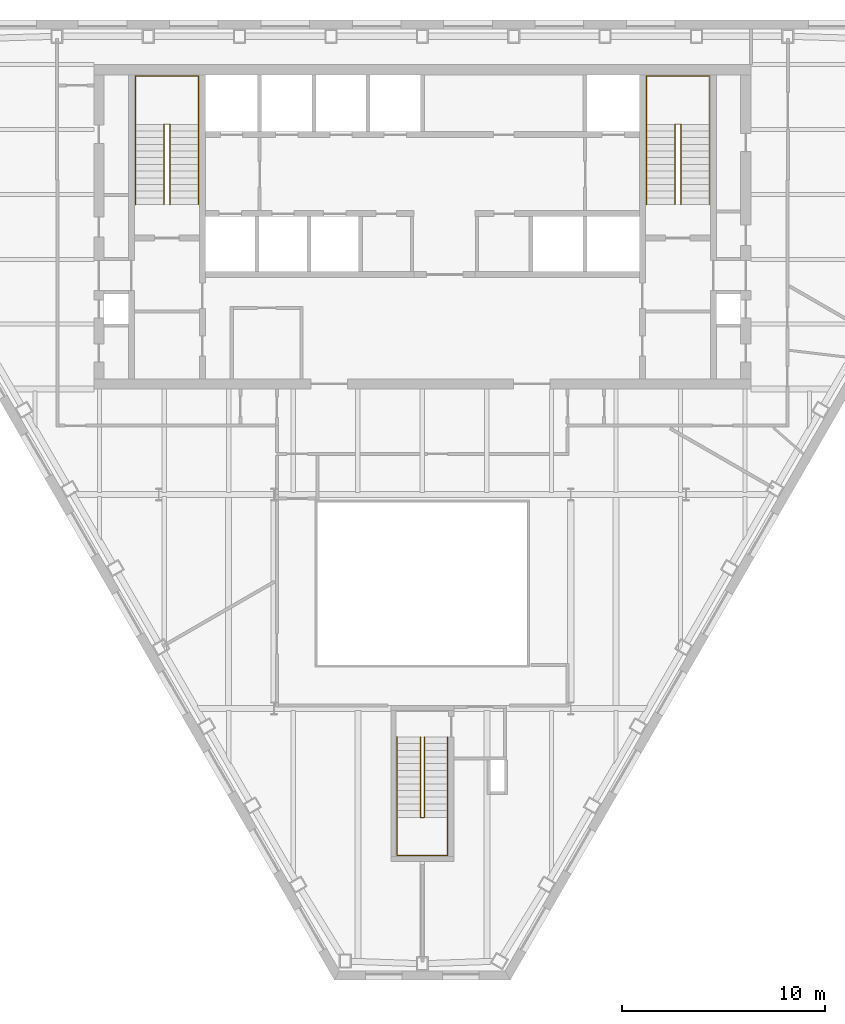
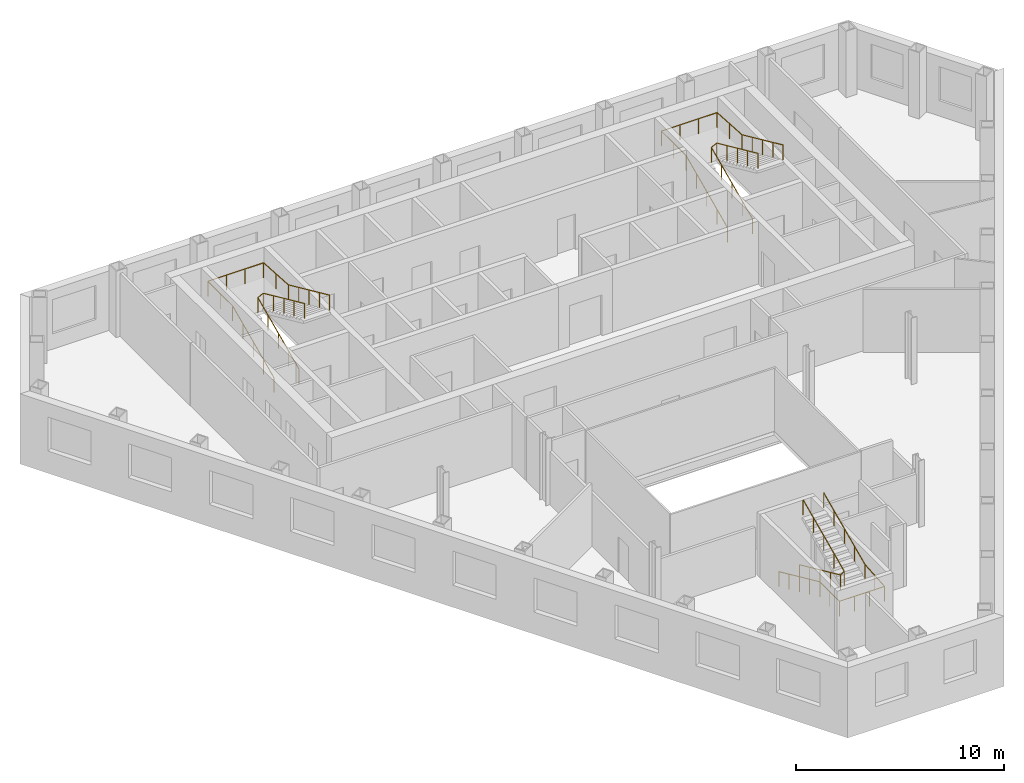
# One storey, part 10 of 10: 6 railings.
"""IFC4 building model written with IfcOpenShell, lengths in metres."""

from ifc_helpers import new_model, si_unit, direction, frame, origin, origin_2d, place, context, subcontext, project, spatial, circle, extrude, material, type_object, element, save


model = new_model("IFC4")

# Units and contexts
model_context = context("Model", 3, precision=1e-05, world=origin(), true_north=direction((0.0, 1.0)))
body_context = subcontext(model_context, "Body", "Model", "MODEL_VIEW")
ifc_project = project(units=[si_unit("LENGTHUNIT", "METRE"), si_unit("AREAUNIT", "SQUARE_METRE"), si_unit("VOLUMEUNIT", "CUBIC_METRE"), si_unit("PLANEANGLEUNIT", "RADIAN"), si_unit("MASSUNIT", "GRAM", prefix="KILO")], contexts=[model_context])

# Site, building, storey
site_placement = place(None, origin())
site = spatial("IfcSite", under=ifc_project, at=site_placement, CompositionType="ELEMENT")
building_placement = place(site_placement, origin())
building = spatial("IfcBuilding", under=site, at=building_placement, Name="Njiva Tower", CompositionType="ELEMENT")
storey_placement = place(building_placement, frame((0.0, 0.0, 159.3)))
storey = spatial("IfcBuildingStorey", under=building, at=storey_placement, Name="L34", CompositionType="ELEMENT", Elevation=159.3)

# Railings
ifc_material = material(Name="Stainless steel", Category="steel")
railing_type = type_object("IfcRailingType", Name="RL1 Stair handrail 900", PredefinedType="HANDRAIL", material=ifc_material)
railing_1_placement = place(storey_placement, frame((-14.15, 11.1, 0.15)))
element("IfcRailing", 1, at=railing_1_placement, inside=storey, type_object=railing_type, Name="Stair A handrail", PredefinedType="HANDRAIL", context=body_context, shape_type="SweptSolid", body=[
    extrude(circle(Radius=0.024, at=origin_2d()), frame((0.0, 0.0, 0.876), z_axis=(0.0, 0.910366477463, 0.413802944301), x_axis=(-1.0, 0.0, 0.0)), (0.0, 0.0, 1.0), 4.3499),
    extrude(circle(Radius=0.024, at=origin_2d()), frame((0.0, 3.96, 2.676), z_axis=(0.0, 1.0, 0.0), x_axis=(-1.0, 0.0, 0.0)), (0.0, 0.0, 1.0), 2.39),
    extrude(circle(Radius=0.024, at=origin_2d()), frame((0.0, 6.35, 2.676), z_axis=(1.0, 0.0, 0.0), x_axis=(0.0, 1.0, 0.0)), (0.0, 0.0, 1.0), 3.1),
    extrude(circle(Radius=0.024, at=origin_2d()), frame((3.1, 6.35, 2.676), z_axis=(0.0, -0.998036296047, 0.062638261258), x_axis=(1.0, 0.0, 0.0)), (0.0, 0.0, 1.0), 2.3947),
    extrude(circle(Radius=0.024, at=origin_2d()), frame((3.1, 3.96, 2.826), z_axis=(0.0, -0.910366477463, 0.413802944301), x_axis=(1.0, 0.0, 0.0)), (0.0, 0.0, 1.0), 4.3499),
    extrude(circle(Radius=0.021, at=origin_2d()), origin(), (0.0, 0.0, 1.0), 0.852),
    extrude(circle(Radius=0.021, at=origin_2d()), frame((0.0, 0.99, 0.45)), (0.0, 0.0, 1.0), 0.852),
    extrude(circle(Radius=0.021, at=origin_2d()), frame((0.0, 1.98, 0.9)), (0.0, 0.0, 1.0), 0.852),
    extrude(circle(Radius=0.021, at=origin_2d()), frame((0.0, 2.97, 1.35)), (0.0, 0.0, 1.0), 0.852),
    extrude(circle(Radius=0.021, at=origin_2d()), frame((0.0, 3.96, 1.8)), (0.0, 0.0, 1.0), 0.852),
    extrude(circle(Radius=0.021, at=origin_2d()), frame((0.0, 5.155, 1.8)), (0.0, 0.0, 1.0), 0.852),
    extrude(circle(Radius=0.021, at=origin_2d()), frame((0.0, 6.35, 1.8)), (0.0, 0.0, 1.0), 0.852),
    extrude(circle(Radius=0.021, at=origin_2d()), frame((1.0333, 6.35, 1.8)), (0.0, 0.0, 1.0), 0.852),
    extrude(circle(Radius=0.021, at=origin_2d()), frame((2.0667, 6.35, 1.8)), (0.0, 0.0, 1.0), 0.852),
    extrude(circle(Radius=0.021, at=origin_2d()), frame((3.1, 6.35, 1.8)), (0.0, 0.0, 1.0), 0.852),
    extrude(circle(Radius=0.021, at=origin_2d()), frame((3.1, 5.155, 1.875)), (0.0, 0.0, 1.0), 0.852),
    extrude(circle(Radius=0.021, at=origin_2d()), frame((3.1, 3.96, 1.95)), (0.0, 0.0, 1.0), 0.852),
    extrude(circle(Radius=0.021, at=origin_2d()), frame((3.1, 2.97, 2.4)), (0.0, 0.0, 1.0), 0.852),
    extrude(circle(Radius=0.021, at=origin_2d()), frame((3.1, 1.98, 2.85)), (0.0, 0.0, 1.0), 0.852),
    extrude(circle(Radius=0.021, at=origin_2d()), frame((3.1, 0.99, 3.3)), (0.0, 0.0, 1.0), 0.852),
    extrude(circle(Radius=0.021, at=origin_2d()), frame((3.1, 0.0, 3.75)), (0.0, 0.0, 1.0), 0.852),
])
railing_2_placement = place(storey_placement, frame((-12.75, 11.1, 0.15)))
element("IfcRailing", 2, at=railing_2_placement, inside=storey, type_object=railing_type, Name="Stair A handrail", PredefinedType="HANDRAIL", context=body_context, shape_type="SweptSolid", body=[
    extrude(circle(Radius=0.024, at=origin_2d()), frame((0.0, 0.0, 0.876), z_axis=(0.0, 0.910366477463, 0.413802944301), x_axis=(-1.0, 0.0, 0.0)), (0.0, 0.0, 1.0), 4.3499),
    extrude(circle(Radius=0.024, at=origin_2d()), frame((0.0, 3.96, 2.676), z_axis=(0.894427191, 0.0, 0.4472135955), x_axis=(0.0, 1.0, 0.0)), (0.0, 0.0, 1.0), 0.3354),
    extrude(circle(Radius=0.024, at=origin_2d()), frame((0.3, 3.96, 2.826), z_axis=(0.0, -0.910366477463, 0.413802944301), x_axis=(1.0, 0.0, 0.0)), (0.0, 0.0, 1.0), 4.3499),
    extrude(circle(Radius=0.021, at=origin_2d()), origin(), (0.0, 0.0, 1.0), 0.852),
    extrude(circle(Radius=0.021, at=origin_2d()), frame((0.0, 0.99, 0.45)), (0.0, 0.0, 1.0), 0.852),
    extrude(circle(Radius=0.021, at=origin_2d()), frame((0.0, 1.98, 0.9)), (0.0, 0.0, 1.0), 0.852),
    extrude(circle(Radius=0.021, at=origin_2d()), frame((0.0, 2.97, 1.35)), (0.0, 0.0, 1.0), 0.852),
    extrude(circle(Radius=0.021, at=origin_2d()), frame((0.0, 3.96, 1.8)), (0.0, 0.0, 1.0), 0.852),
    extrude(circle(Radius=0.021, at=origin_2d()), frame((0.3, 3.96, 1.95)), (0.0, 0.0, 1.0), 0.852),
    extrude(circle(Radius=0.021, at=origin_2d()), frame((0.3, 2.97, 2.4)), (0.0, 0.0, 1.0), 0.852),
    extrude(circle(Radius=0.021, at=origin_2d()), frame((0.3, 1.98, 2.85)), (0.0, 0.0, 1.0), 0.852),
    extrude(circle(Radius=0.021, at=origin_2d()), frame((0.3, 0.99, 3.3)), (0.0, 0.0, 1.0), 0.852),
    extrude(circle(Radius=0.021, at=origin_2d()), frame((0.3, 0.0, 3.75)), (0.0, 0.0, 1.0), 0.852),
])
railing_3_placement = place(storey_placement, frame((11.05, 11.1, 0.15)))
element("IfcRailing", 3, at=railing_3_placement, inside=storey, type_object=railing_type, Name="Stair B handrail", PredefinedType="HANDRAIL", context=body_context, shape_type="SweptSolid", body=[
    extrude(circle(Radius=0.024, at=origin_2d()), frame((0.0, 0.0, 0.876), z_axis=(0.0, 0.910366477463, 0.413802944301), x_axis=(-1.0, 0.0, 0.0)), (0.0, 0.0, 1.0), 4.3499),
    extrude(circle(Radius=0.024, at=origin_2d()), frame((0.0, 3.96, 2.676), z_axis=(0.0, 1.0, 0.0), x_axis=(-1.0, 0.0, 0.0)), (0.0, 0.0, 1.0), 2.39),
    extrude(circle(Radius=0.024, at=origin_2d()), frame((0.0, 6.35, 2.676), z_axis=(1.0, 0.0, 0.0), x_axis=(0.0, 1.0, 0.0)), (0.0, 0.0, 1.0), 3.1),
    extrude(circle(Radius=0.024, at=origin_2d()), frame((3.1, 6.35, 2.676), z_axis=(0.0, -0.998036296047, 0.062638261258), x_axis=(1.0, 0.0, 0.0)), (0.0, 0.0, 1.0), 2.3947),
    extrude(circle(Radius=0.024, at=origin_2d()), frame((3.1, 3.96, 2.826), z_axis=(0.0, -0.910366477463, 0.413802944301), x_axis=(1.0, 0.0, 0.0)), (0.0, 0.0, 1.0), 4.3499),
    extrude(circle(Radius=0.021, at=origin_2d()), origin(), (0.0, 0.0, 1.0), 0.852),
    extrude(circle(Radius=0.021, at=origin_2d()), frame((0.0, 0.99, 0.45)), (0.0, 0.0, 1.0), 0.852),
    extrude(circle(Radius=0.021, at=origin_2d()), frame((0.0, 1.98, 0.9)), (0.0, 0.0, 1.0), 0.852),
    extrude(circle(Radius=0.021, at=origin_2d()), frame((0.0, 2.97, 1.35)), (0.0, 0.0, 1.0), 0.852),
    extrude(circle(Radius=0.021, at=origin_2d()), frame((0.0, 3.96, 1.8)), (0.0, 0.0, 1.0), 0.852),
    extrude(circle(Radius=0.021, at=origin_2d()), frame((0.0, 5.155, 1.8)), (0.0, 0.0, 1.0), 0.852),
    extrude(circle(Radius=0.021, at=origin_2d()), frame((0.0, 6.35, 1.8)), (0.0, 0.0, 1.0), 0.852),
    extrude(circle(Radius=0.021, at=origin_2d()), frame((1.0333, 6.35, 1.8)), (0.0, 0.0, 1.0), 0.852),
    extrude(circle(Radius=0.021, at=origin_2d()), frame((2.0667, 6.35, 1.8)), (0.0, 0.0, 1.0), 0.852),
    extrude(circle(Radius=0.021, at=origin_2d()), frame((3.1, 6.35, 1.8)), (0.0, 0.0, 1.0), 0.852),
    extrude(circle(Radius=0.021, at=origin_2d()), frame((3.1, 5.155, 1.875)), (0.0, 0.0, 1.0), 0.852),
    extrude(circle(Radius=0.021, at=origin_2d()), frame((3.1, 3.96, 1.95)), (0.0, 0.0, 1.0), 0.852),
    extrude(circle(Radius=0.021, at=origin_2d()), frame((3.1, 2.97, 2.4)), (0.0, 0.0, 1.0), 0.852),
    extrude(circle(Radius=0.021, at=origin_2d()), frame((3.1, 1.98, 2.85)), (0.0, 0.0, 1.0), 0.852),
    extrude(circle(Radius=0.021, at=origin_2d()), frame((3.1, 0.99, 3.3)), (0.0, 0.0, 1.0), 0.852),
    extrude(circle(Radius=0.021, at=origin_2d()), frame((3.1, 0.0, 3.75)), (0.0, 0.0, 1.0), 0.852),
])
railing_4_placement = place(storey_placement, frame((12.45, 11.1, 0.15)))
element("IfcRailing", 4, at=railing_4_placement, inside=storey, type_object=railing_type, Name="Stair B handrail", PredefinedType="HANDRAIL", context=body_context, shape_type="SweptSolid", body=[
    extrude(circle(Radius=0.024, at=origin_2d()), frame((0.0, 0.0, 0.876), z_axis=(0.0, 0.910366477463, 0.413802944301), x_axis=(-1.0, 0.0, 0.0)), (0.0, 0.0, 1.0), 4.3499),
    extrude(circle(Radius=0.024, at=origin_2d()), frame((0.0, 3.96, 2.676), z_axis=(0.894427191, 0.0, 0.4472135955), x_axis=(0.0, 1.0, 0.0)), (0.0, 0.0, 1.0), 0.3354),
    extrude(circle(Radius=0.024, at=origin_2d()), frame((0.3, 3.96, 2.826), z_axis=(0.0, -0.910366477463, 0.413802944301), x_axis=(1.0, 0.0, 0.0)), (0.0, 0.0, 1.0), 4.3499),
    extrude(circle(Radius=0.021, at=origin_2d()), origin(), (0.0, 0.0, 1.0), 0.852),
    extrude(circle(Radius=0.021, at=origin_2d()), frame((0.0, 0.99, 0.45)), (0.0, 0.0, 1.0), 0.852),
    extrude(circle(Radius=0.021, at=origin_2d()), frame((0.0, 1.98, 0.9)), (0.0, 0.0, 1.0), 0.852),
    extrude(circle(Radius=0.021, at=origin_2d()), frame((0.0, 2.97, 1.35)), (0.0, 0.0, 1.0), 0.852),
    extrude(circle(Radius=0.021, at=origin_2d()), frame((0.0, 3.96, 1.8)), (0.0, 0.0, 1.0), 0.852),
    extrude(circle(Radius=0.021, at=origin_2d()), frame((0.3, 3.96, 1.95)), (0.0, 0.0, 1.0), 0.852),
    extrude(circle(Radius=0.021, at=origin_2d()), frame((0.3, 2.97, 2.4)), (0.0, 0.0, 1.0), 0.852),
    extrude(circle(Radius=0.021, at=origin_2d()), frame((0.3, 1.98, 2.85)), (0.0, 0.0, 1.0), 0.852),
    extrude(circle(Radius=0.021, at=origin_2d()), frame((0.3, 0.99, 3.3)), (0.0, 0.0, 1.0), 0.852),
    extrude(circle(Radius=0.021, at=origin_2d()), frame((0.3, 0.0, 3.75)), (0.0, 0.0, 1.0), 0.852),
])
railing_5_placement = place(storey_placement, frame((-1.25, -15.16, 0.15)))
element("IfcRailing", 5, at=railing_5_placement, inside=storey, type_object=railing_type, Name="Stair C handrail", PredefinedType="HANDRAIL", context=body_context, shape_type="SweptSolid", body=[
    extrude(circle(Radius=0.024, at=origin_2d()), frame((0.0, 0.0, 0.876), z_axis=(0.0, -0.910366477463, 0.413802944301), x_axis=(1.0, 0.0, 0.0)), (0.0, 0.0, 1.0), 4.3499),
    extrude(circle(Radius=0.024, at=origin_2d()), frame((0.0, -3.96, 2.676), z_axis=(0.0, -1.0, 0.0), x_axis=(1.0, 0.0, 0.0)), (0.0, 0.0, 1.0), 1.88),
    extrude(circle(Radius=0.024, at=origin_2d()), frame((0.0, -5.84, 2.676), z_axis=(1.0, 0.0, 0.0), x_axis=(0.0, 1.0, 0.0)), (0.0, 0.0, 1.0), 2.5),
    extrude(circle(Radius=0.024, at=origin_2d()), frame((2.5, -5.84, 2.676), z_axis=(0.0, 0.996832115713, 0.079534477318), x_axis=(-1.0, 0.0, 0.0)), (0.0, 0.0, 1.0), 1.886),
    extrude(circle(Radius=0.024, at=origin_2d()), frame((2.5, -3.96, 2.826), z_axis=(0.0, 0.910366477463, 0.413802944301), x_axis=(-1.0, 0.0, 0.0)), (0.0, 0.0, 1.0), 4.3499),
    extrude(circle(Radius=0.021, at=origin_2d()), origin(), (0.0, 0.0, 1.0), 0.852),
    extrude(circle(Radius=0.021, at=origin_2d()), frame((0.0, -0.99, 0.45)), (0.0, 0.0, 1.0), 0.852),
    extrude(circle(Radius=0.021, at=origin_2d()), frame((0.0, -1.98, 0.9)), (0.0, 0.0, 1.0), 0.852),
    extrude(circle(Radius=0.021, at=origin_2d()), frame((0.0, -2.97, 1.35)), (0.0, 0.0, 1.0), 0.852),
    extrude(circle(Radius=0.021, at=origin_2d()), frame((0.0, -3.96, 1.8)), (0.0, 0.0, 1.0), 0.852),
    extrude(circle(Radius=0.021, at=origin_2d()), frame((0.0, -4.9, 1.8)), (0.0, 0.0, 1.0), 0.852),
    extrude(circle(Radius=0.021, at=origin_2d()), frame((0.0, -5.84, 1.8)), (0.0, 0.0, 1.0), 0.852),
    extrude(circle(Radius=0.021, at=origin_2d()), frame((0.8333, -5.84, 1.8)), (0.0, 0.0, 1.0), 0.852),
    extrude(circle(Radius=0.021, at=origin_2d()), frame((1.6667, -5.84, 1.8)), (0.0, 0.0, 1.0), 0.852),
    extrude(circle(Radius=0.021, at=origin_2d()), frame((2.5, -5.84, 1.8)), (0.0, 0.0, 1.0), 0.852),
    extrude(circle(Radius=0.021, at=origin_2d()), frame((2.5, -4.9, 1.875)), (0.0, 0.0, 1.0), 0.852),
    extrude(circle(Radius=0.021, at=origin_2d()), frame((2.5, -3.96, 1.95)), (0.0, 0.0, 1.0), 0.852),
    extrude(circle(Radius=0.021, at=origin_2d()), frame((2.5, -2.97, 2.4)), (0.0, 0.0, 1.0), 0.852),
    extrude(circle(Radius=0.021, at=origin_2d()), frame((2.5, -1.98, 2.85)), (0.0, 0.0, 1.0), 0.852),
    extrude(circle(Radius=0.021, at=origin_2d()), frame((2.5, -0.99, 3.3)), (0.0, 0.0, 1.0), 0.852),
    extrude(circle(Radius=0.021, at=origin_2d()), frame((2.5, 0.0, 3.75)), (0.0, 0.0, 1.0), 0.852),
])
railing_6_placement = place(storey_placement, frame((-0.1, -15.16, 0.15)))
element("IfcRailing", 6, at=railing_6_placement, inside=storey, type_object=railing_type, Name="Stair C handrail", PredefinedType="HANDRAIL", context=body_context, shape_type="SweptSolid", body=[
    extrude(circle(Radius=0.024, at=origin_2d()), frame((0.0, 0.0, 0.876), z_axis=(0.0, -0.910366477463, 0.413802944301), x_axis=(1.0, 0.0, 0.0)), (0.0, 0.0, 1.0), 4.3499),
    extrude(circle(Radius=0.024, at=origin_2d()), frame((0.0, -3.96, 2.676), z_axis=(0.8, 0.0, 0.6), x_axis=(0.0, 1.0, 0.0)), (0.0, 0.0, 1.0), 0.25),
    extrude(circle(Radius=0.024, at=origin_2d()), frame((0.2, -3.96, 2.826), z_axis=(0.0, 0.910366477463, 0.413802944301), x_axis=(-1.0, 0.0, 0.0)), (0.0, 0.0, 1.0), 4.3499),
    extrude(circle(Radius=0.021, at=origin_2d()), origin(), (0.0, 0.0, 1.0), 0.852),
    extrude(circle(Radius=0.021, at=origin_2d()), frame((0.0, -0.99, 0.45)), (0.0, 0.0, 1.0), 0.852),
    extrude(circle(Radius=0.021, at=origin_2d()), frame((0.0, -1.98, 0.9)), (0.0, 0.0, 1.0), 0.852),
    extrude(circle(Radius=0.021, at=origin_2d()), frame((0.0, -2.97, 1.35)), (0.0, 0.0, 1.0), 0.852),
    extrude(circle(Radius=0.021, at=origin_2d()), frame((0.0, -3.96, 1.8)), (0.0, 0.0, 1.0), 0.852),
    extrude(circle(Radius=0.021, at=origin_2d()), frame((0.2, -3.96, 1.95)), (0.0, 0.0, 1.0), 0.852),
    extrude(circle(Radius=0.021, at=origin_2d()), frame((0.2, -2.97, 2.4)), (0.0, 0.0, 1.0), 0.852),
    extrude(circle(Radius=0.021, at=origin_2d()), frame((0.2, -1.98, 2.85)), (0.0, 0.0, 1.0), 0.852),
    extrude(circle(Radius=0.021, at=origin_2d()), frame((0.2, -0.99, 3.3)), (0.0, 0.0, 1.0), 0.852),
    extrude(circle(Radius=0.021, at=origin_2d()), frame((0.2, 0.0, 3.75)), (0.0, 0.0, 1.0), 0.852),
])

save(model, "model.ifc")
